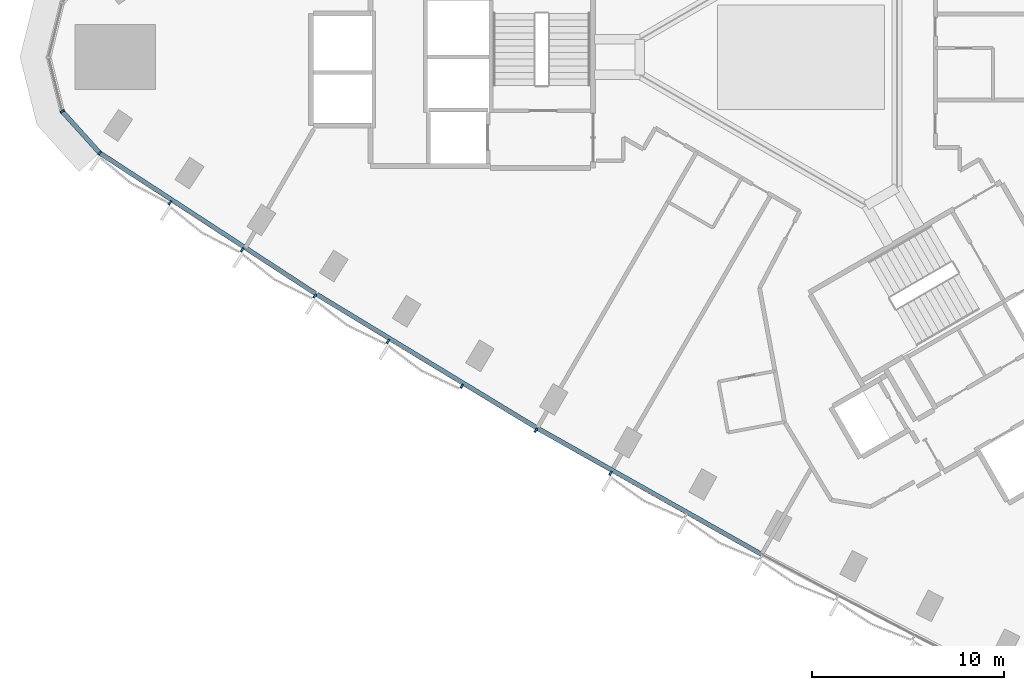
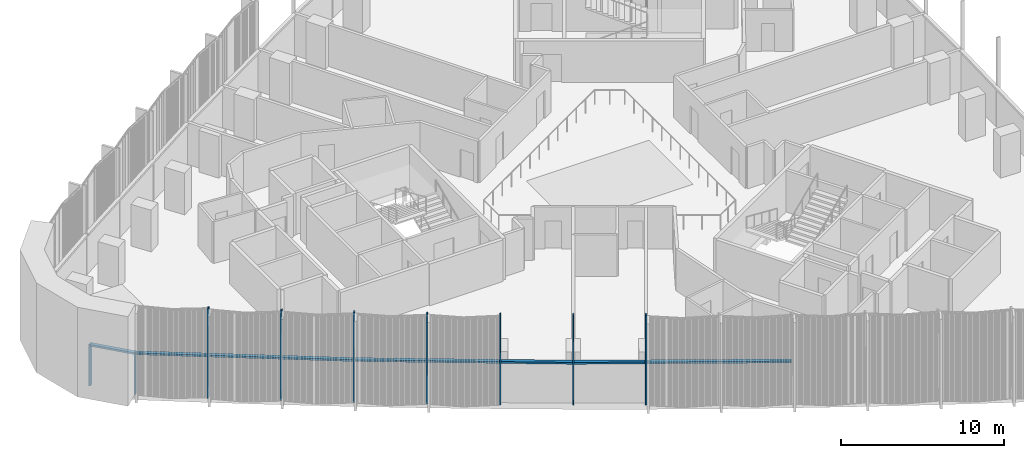
# One storey, part 2 of 15: 13 members, 2 elements without a shape of their own.
"""IFC4 building model written with IfcOpenShell, lengths in metres."""

from ifc_helpers import new_model, si_unit, direction, frame, origin, origin_2d, place, context, subcontext, project, spatial, rectangle, extrude, material, material_profile, profile_set, type_object, element, aggregate, save


model = new_model("IFC4")

# Units and contexts
model_context = context("Model", 3, precision=1e-05, world=origin(), true_north=direction((0.0, 1.0)))
body_context = subcontext(model_context, "Body", "Model", "MODEL_VIEW")
ifc_project = project(units=[si_unit("LENGTHUNIT", "METRE"), si_unit("AREAUNIT", "SQUARE_METRE"), si_unit("VOLUMEUNIT", "CUBIC_METRE"), si_unit("PLANEANGLEUNIT", "RADIAN"), si_unit("MASSUNIT", "GRAM", prefix="KILO")], contexts=[model_context])

# Site, building, storey
site_placement = place(None, origin())
site = spatial("IfcSite", under=ifc_project, at=site_placement, CompositionType="ELEMENT")
building_placement = place(site_placement, origin())
building = spatial("IfcBuilding", under=site, at=building_placement, Name="Tamra Quay Hotel Tower", CompositionType="ELEMENT")
storey_placement = place(building_placement, frame((0.0, 0.0, 35.0)))
storey = spatial("IfcBuildingStorey", under=building, at=storey_placement, Name="L06", CompositionType="ELEMENT", Elevation=35.0)

# Curtain wall, member
ifc_material = material(Name="Aluminium 6063 anodised dark grey", Category="aluminium")
curtain_wall_type_1 = type_object("IfcCurtainWallType", Name="CW2 CURTAIN WALL", PredefinedType="NOTDEFINED", material=ifc_material)
curtain_wall_1_placement = place(storey_placement, origin())
curtain_wall_1 = element("IfcCurtainWall", 1, at=curtain_wall_1_placement, inside=storey, type_object=curtain_wall_type_1, Name="CW2 north-west face L06", PredefinedType="NOTDEFINED")
ifc_material_profile_1 = material_profile(ifc_material, rectangle(XDim=0.239990234375, YDim=0.10009765625, at=origin_2d()), Name="MULLION 100X240")
ifc_profile_set_1 = profile_set([ifc_material_profile_1], Name="Aluminium 6063 anodised dark grey")
member_type_1 = type_object("IfcMemberType", Name="MULLION CW2 Z1", PredefinedType="MULLION", material=ifc_profile_set_1)
member_1_placement = place(storey_placement, frame((-38.497802734375, -2.828125, 0.0), z_axis=(0.0, 0.0, 1.0), x_axis=(-0.882955345235, -0.469456982396, 0.0)))
member_1 = element("IfcMember", 2, at=member_1_placement, type_object=member_type_1, Name="CW2 mullion L06.NW.17", PredefinedType="MULLION", context=body_context, shape_type="SweptSolid", body=[
    extrude(rectangle(XDim=0.239990234375, YDim=0.10009765625, at=origin_2d()), origin(), (0.0, 0.0, 1.0), 3.125),
])

# Curtain wall, members
curtain_wall_type_2 = type_object("IfcCurtainWallType", Name="CW3 CURTAIN WALL", PredefinedType="NOTDEFINED", material=ifc_material)
curtain_wall_2_placement = place(storey_placement, origin())
curtain_wall_2 = element("IfcCurtainWall", 3, at=curtain_wall_2_placement, inside=storey, type_object=curtain_wall_type_2, Name="CW3 south-west face L06", PredefinedType="NOTDEFINED")
ifc_material_profile_2 = material_profile(ifc_material, rectangle(XDim=0.239990234375, YDim=0.10009765625, at=origin_2d()), Name="MULLION 100X240")
ifc_profile_set_2 = profile_set([ifc_material_profile_2], Name="Aluminium 6063 anodised dark grey")
member_type_2 = type_object("IfcMemberType", Name="MULLION CW3 Z1", PredefinedType="MULLION", material=ifc_profile_set_2)
member_2_placement = place(storey_placement, frame((-36.547607421875, -4.993896484375, 0.0), z_axis=(0.0, 0.0, 1.0), x_axis=(-0.654196774513, -0.756324388221, 0.0)))
member_2 = element("IfcMember", 4, at=member_2_placement, type_object=member_type_2, Name="CW3 mullion L06.SW.1", PredefinedType="MULLION", context=body_context, shape_type="SweptSolid", body=[
    extrude(rectangle(XDim=0.239990234375, YDim=0.10009765625, at=origin_2d()), origin(), (0.0, 0.0, 1.0), 3.125),
])
member_3_placement = place(storey_placement, frame((-32.88037109375, -7.58544921875, 0.0), z_axis=(0.0, 0.0, 1.0), x_axis=(-0.550591269595, -0.834774971981, 0.0)))
member_3 = element("IfcMember", 5, at=member_3_placement, type_object=member_type_2, Name="CW3 mullion L06.SW.2", PredefinedType="MULLION", context=body_context, shape_type="SweptSolid", body=[
    extrude(rectangle(XDim=0.239990234375, YDim=0.10009765625, at=origin_2d()), origin(), (0.0, 0.0, 1.0), 6.72509765625),
])
member_4_placement = place(storey_placement, frame((-29.1181640625, -10.037841796875, 0.0), z_axis=(0.0, 0.0, 1.0), x_axis=(-0.541560885498, -0.84066152957, 0.0)))
member_4 = element("IfcMember", 6, at=member_4_placement, type_object=member_type_2, Name="CW3 mullion L06.SW.3", PredefinedType="MULLION", context=body_context, shape_type="SweptSolid", body=[
    extrude(rectangle(XDim=0.239990234375, YDim=0.10009765625, at=origin_2d()), origin(), (0.0, 0.0, 1.0), 6.72509765625),
])
member_5_placement = place(storey_placement, frame((-25.33056640625, -12.44921875, 0.0), z_axis=(0.0, 0.0, 1.0), x_axis=(-0.532446882669, -0.846463417482, 0.0)))
member_5 = element("IfcMember", 7, at=member_5_placement, type_object=member_type_2, Name="CW3 mullion L06.SW.4", PredefinedType="MULLION", context=body_context, shape_type="SweptSolid", body=[
    extrude(rectangle(XDim=0.239990234375, YDim=0.10009765625, at=origin_2d()), origin(), (0.0, 0.0, 1.0), 6.72509765625),
])
member_6_placement = place(storey_placement, frame((-21.51708984375, -14.8193359375, 0.0), z_axis=(0.0, 0.0, 1.0), x_axis=(-0.523257144174, -0.852174841843, 0.0)))
member_6 = element("IfcMember", 8, at=member_6_placement, type_object=member_type_2, Name="CW3 mullion L06.SW.5", PredefinedType="MULLION", context=body_context, shape_type="SweptSolid", body=[
    extrude(rectangle(XDim=0.239990234375, YDim=0.10009765625, at=origin_2d()), origin(), (0.0, 0.0, 1.0), 6.72509765625),
])
member_7_placement = place(storey_placement, frame((-17.67724609375, -17.1484375, 0.0), z_axis=(0.0, 0.0, 1.0), x_axis=(-0.514004526657, -0.857787471683, 0.0)))
member_7 = element("IfcMember", 9, at=member_7_placement, type_object=member_type_2, Name="CW3 mullion L06.SW.6", PredefinedType="MULLION", context=body_context, shape_type="SweptSolid", body=[
    extrude(rectangle(XDim=0.239990234375, YDim=0.10009765625, at=origin_2d()), origin(), (0.0, 0.0, 1.0), 6.72509765625),
])
member_8_placement = place(storey_placement, frame((-13.8134765625, -19.435546875, 0.0), z_axis=(0.0, 0.0, 1.0), x_axis=(-0.504685008453, -0.863303563205, 0.0)))
member_8 = element("IfcMember", 10, at=member_8_placement, type_object=member_type_2, Name="CW3 mullion L06.SW.7", PredefinedType="MULLION", context=body_context, shape_type="SweptSolid", body=[
    extrude(rectangle(XDim=0.239990234375, YDim=0.10009765625, at=origin_2d()), origin(), (0.0, 0.0, 1.0), 6.72509765625),
])
member_9_placement = place(storey_placement, frame((-9.9248046875, -21.680419921875, 0.0), z_axis=(0.0, 0.0, 1.0), x_axis=(-0.495300312687, -0.868721819832, 0.0)))
member_9 = element("IfcMember", 11, at=member_9_placement, type_object=member_type_2, Name="CW3 mullion L06.SW.8", PredefinedType="MULLION", context=body_context, shape_type="SweptSolid", body=[
    extrude(rectangle(XDim=0.239990234375, YDim=0.10009765625, at=origin_2d()), origin(), (0.0, 0.0, 1.0), 6.72509765625),
])

# Member
ifc_material_profile_3 = material_profile(ifc_material, rectangle(XDim=0.239990234375, YDim=0.139892578125, at=origin_2d()), Name="TRANSOM 240X140")
ifc_profile_set_3 = profile_set([ifc_material_profile_3], Name="Aluminium 6063 anodised dark grey")
member_type_3 = type_object("IfcMemberType", Name="TRANSOM CW2 Z1", PredefinedType="USERDEFINED", material=ifc_profile_set_3)
member_10_placement = place(storey_placement, frame((-38.46435546875, -2.865234375, 3.054931640625), z_axis=(0.669142034262, -0.743134535588, 0.0), x_axis=(0.743134535588, 0.669142034262, 0.0)))
member_10 = element("IfcMember", 12, at=member_10_placement, type_object=member_type_3, Name="CW2 transom L06.NW.17", ObjectType="TRANSOM", PredefinedType="USERDEFINED", context=body_context, shape_type="SweptSolid", body=[
    extrude(rectangle(XDim=0.239990234375, YDim=0.139892578125, at=origin_2d()), origin(), (0.0, 0.0, 1.0), 2.814453125),
])

aggregate(curtain_wall_1, [member_1, member_10])

ifc_material_profile_4 = material_profile(ifc_material, rectangle(XDim=0.239990234375, YDim=0.139892578125, at=origin_2d()), Name="TRANSOM 240X140")
ifc_profile_set_4 = profile_set([ifc_material_profile_4], Name="Aluminium 6063 anodised dark grey")
member_type_4 = type_object("IfcMemberType", Name="TRANSOM CW3 Z1", PredefinedType="USERDEFINED", material=ifc_profile_set_4)
member_11_placement = place(storey_placement, frame((-36.506103515625, -5.021728515625, 3.054931640625), z_axis=(0.83773012635, -0.546084458126, 0.0), x_axis=(0.546084458126, 0.83773012635, 0.0)))
member_11 = element("IfcMember", 13, at=member_11_placement, type_object=member_type_4, Name="CW3 transom L06.SW.1", ObjectType="TRANSOM", PredefinedType="USERDEFINED", context=body_context, shape_type="SweptSolid", body=[
    extrude(rectangle(XDim=0.239990234375, YDim=0.139892578125, at=origin_2d()), origin(), (0.0, 0.0, 1.0), 13.3662109375),
])

member_12_placement = place(storey_placement, frame((-25.22412109375, -12.3740234375, 3.054931640625), z_axis=(0.854992910191, -0.518639685642, 0.0), x_axis=(0.518639685642, 0.854992910191, 0.0)))
member_12 = element("IfcMember", 14, at=member_12_placement, type_object=member_type_4, Name="CW3 transom L06.SW.4", ObjectType="TRANSOM", PredefinedType="USERDEFINED", context=body_context, shape_type="SweptSolid", body=[
    extrude(rectangle(XDim=0.239990234375, YDim=0.139892578125, at=origin_2d()), origin(), (0.0, 0.0, 1.0), 13.366455078125),
])

member_13_placement = place(storey_placement, frame((-13.70947265625, -19.35693359375, 3.054931640625), z_axis=(0.871394018257, -0.490583800125, 0.0), x_axis=(0.490583800125, 0.871394018257, 0.0)))
member_13 = element("IfcMember", 15, at=member_13_placement, type_object=member_type_4, Name="CW3 transom L06.SW.7", ObjectType="TRANSOM", PredefinedType="USERDEFINED", context=body_context, shape_type="SweptSolid", body=[
    extrude(rectangle(XDim=0.239990234375, YDim=0.139892578125, at=origin_2d()), origin(), (0.0, 0.0, 1.0), 13.366455078125),
])

aggregate(curtain_wall_2, [member_2, member_11, member_3, member_4, member_5, member_12, member_6, member_7, member_8, member_13, member_9])

save(model, "model.ifc")
